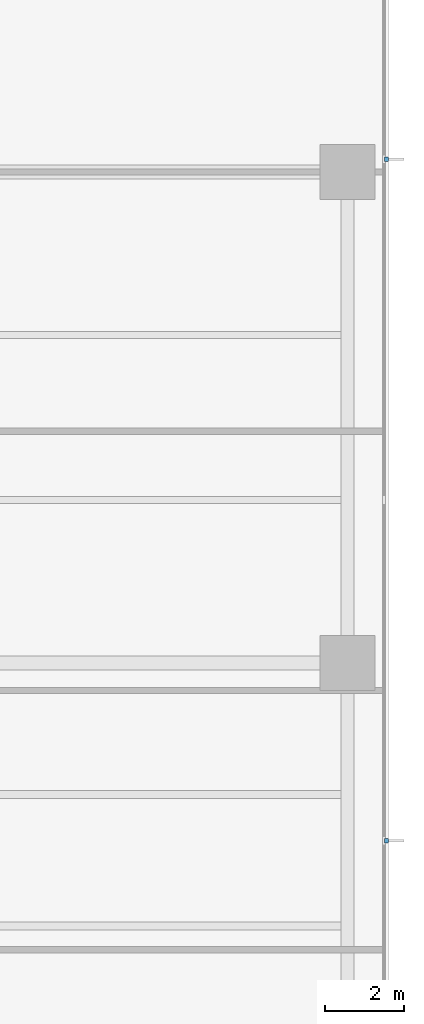
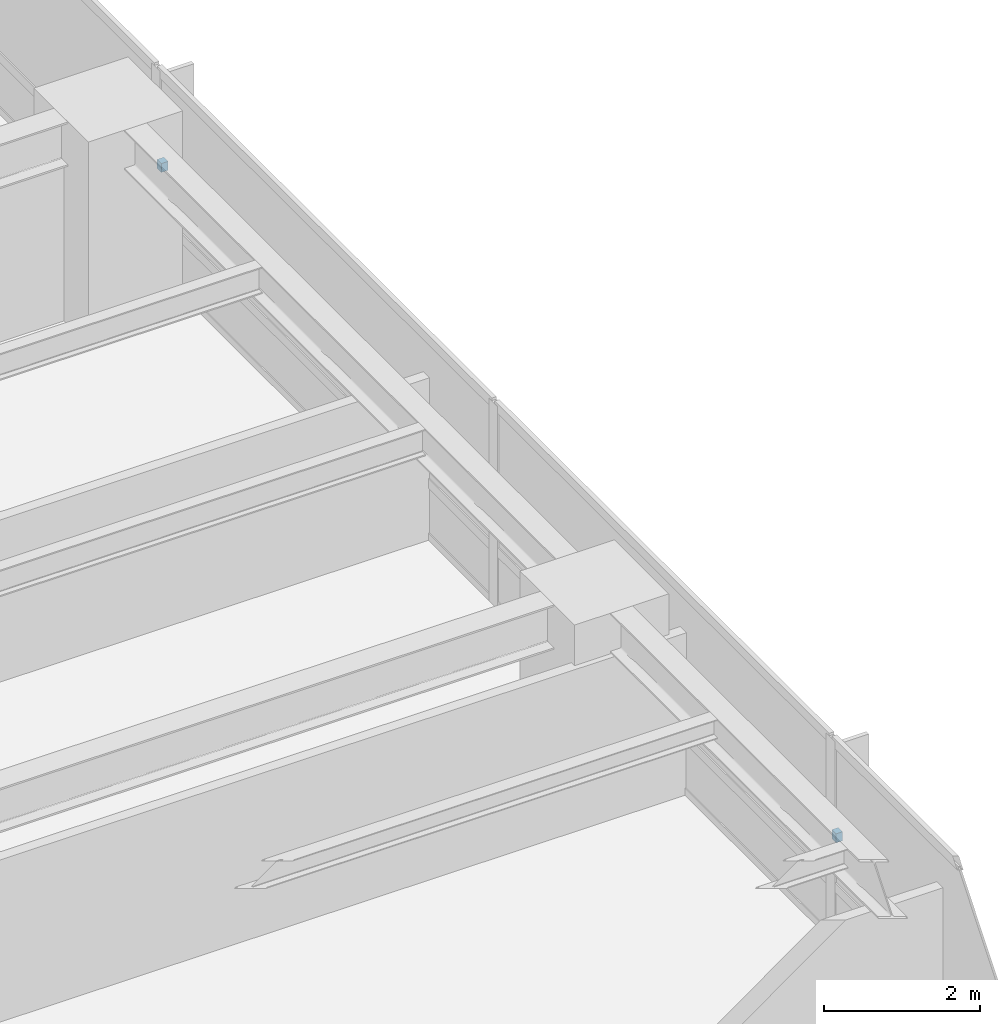
# One storey, part 13 of 16: 2 discrete accessories.
"""IFC4 building model written with IfcOpenShell, lengths in metres."""

import ifcopenshell
import ifcopenshell.guid

model = None  # the IFC model being written
_history = None  # IfcOwnerHistory: only IFC2X3 demands one
_inside = {}  # id of a spatial element -> (the spatial element, [elements in it])
_under = {}  # id of a project, library or spatial element -> (it, [spatial elements below it])
_declared = {}  # id of a project -> (the project, [libraries it declares])
_typed = {}  # id of a type object -> (the type object, [elements of that type])
_made_of = {}  # id of a material, layer set ... -> (it, [elements and type objects made of it])


def new_model(schema):
    """Start an empty IFC model of exactly this schema.

    Asked for "IFC4X3", IfcOpenShell would pick the latest addendum, in which some entities
    have other attributes; the version numbers below select the first issue.
    IFC2X3 requires an IfcOwnerHistory on every rooted entity: one is made here for all.
    """
    global model, _history
    if schema == "IFC4X3":
        model = ifcopenshell.file(schema_version=(4, 3, 0, 0))
    else:
        model = ifcopenshell.file(schema=schema)
    _inside.clear()
    _under.clear()
    _declared.clear()
    _typed.clear()
    _made_of.clear()
    _history = None
    if model.schema == "IFC2X3":
        org = make("IfcOrganization", Name="unknown")
        user = make(
            "IfcPersonAndOrganization",
            ThePerson=make("IfcPerson", FamilyName="unknown"),
            TheOrganization=org,
        )
        app = make(
            "IfcApplication",
            ApplicationDeveloper=org,
            Version="unknown",
            ApplicationFullName="unknown",
            ApplicationIdentifier="unknown",
        )
        _history = make(
            "IfcOwnerHistory",
            OwningUser=user,
            OwningApplication=app,
            ChangeAction="ADDED",
            CreationDate=0,
        )
    return model


def make(cls, **values):
    """One entity of the class cls with the attributes given. An attribute that is None is left unset."""
    return model.create_entity(
        cls, **{name: value for name, value in values.items() if value is not None}
    )


def rooted(cls, **values):
    """An entity with a GlobalId (a new one), such as an element, a storey or a relation."""
    return make(cls, GlobalId=ifcopenshell.guid.new(), OwnerHistory=_history, **values)


def si_unit(unit_type, name, prefix=None):
    """IfcSIUnit, for example si_unit("LENGTHUNIT", "METRE", prefix="MILLI")."""
    return make("IfcSIUnit", UnitType=unit_type, Prefix=prefix, Name=name)


def assignment(units):
    """IfcUnitAssignment: the units of a project."""
    return None if units is None else make("IfcUnitAssignment", Units=units)


def point(xyz):
    """IfcCartesianPoint."""
    return None if xyz is None else make("IfcCartesianPoint", Coordinates=xyz)


def direction(xyz):
    """IfcDirection."""
    return None if xyz is None else make("IfcDirection", DirectionRatios=xyz)


def frame(location, z_axis=None, x_axis=None):
    """IfcAxis2Placement3D, a coordinate frame: its origin and axes. An axis left out is left unset."""
    return make(
        "IfcAxis2Placement3D",
        Location=point(location),
        Axis=direction(z_axis),
        RefDirection=direction(x_axis),
    )


def origin():
    """The frame at (0, 0, 0) with its axes left unset."""
    return frame((0.0, 0.0, 0.0))


def place(relative_to, where):
    """IfcLocalPlacement: puts the frame where relative to a parent placement (None: the world)."""
    return make(
        "IfcLocalPlacement", PlacementRelTo=relative_to, RelativePlacement=where
    )


def context(
    kind, dimensions, precision=None, world=None, true_north=None, identifier=None
):
    """IfcGeometricRepresentationContext, for example the 3D "Model" context."""
    return make(
        "IfcGeometricRepresentationContext",
        ContextIdentifier=identifier,
        ContextType=kind,
        CoordinateSpaceDimension=dimensions,
        Precision=precision,
        WorldCoordinateSystem=world,
        TrueNorth=true_north,
    )


def subcontext(parent, identifier, kind, view, scale=None):
    """IfcGeometricRepresentationSubContext, for example "Body" below "Model"."""
    return make(
        "IfcGeometricRepresentationSubContext",
        ContextIdentifier=identifier,
        ContextType=kind,
        ParentContext=parent,
        TargetScale=scale,
        TargetView=view,
    )


def project(units=None, contexts=None):
    """IfcProject with its units and contexts."""
    return rooted(
        "IfcProject",
        Name="project",
        RepresentationContexts=contexts,
        UnitsInContext=assignment(units),
    )


def spatial(cls, under=None, at=None, **own):
    """A site, building, storey or space (cls), placed at a placement, below another one or the project."""
    s = rooted(cls, ObjectPlacement=at, **own)
    if under is not None:
        _under.setdefault(under.id(), (under, []))[1].append(s)
    return s


def polyline(points):
    """IfcPolyline through the points."""
    return make("IfcPolyline", Points=[point(p) for p in points])


def outline(outer, holes=None, kind="AREA"):
    """IfcArbitraryClosedProfileDef: a profile drawn as a closed curve; with holes, ...WithVoids."""
    if holes is None:
        return make("IfcArbitraryClosedProfileDef", ProfileType=kind, OuterCurve=outer)
    return make(
        "IfcArbitraryProfileDefWithVoids",
        ProfileType=kind,
        OuterCurve=outer,
        InnerCurves=holes,
    )


def extrude(swept, where, along, depth):
    """IfcExtrudedAreaSolid: the profile swept, set in the frame where, extruded along a direction by depth."""
    return make(
        "IfcExtrudedAreaSolid",
        SweptArea=swept,
        Position=where,
        ExtrudedDirection=direction(along),
        Depth=depth,
    )


def shape(context_of_items, identifier, shape_type, items):
    """IfcShapeRepresentation: the items that make up one representation, for example the "Body"."""
    return make(
        "IfcShapeRepresentation",
        ContextOfItems=context_of_items,
        RepresentationIdentifier=identifier,
        RepresentationType=shape_type,
        Items=items,
    )


def material(Name=None, Category=None):
    """IfcMaterial."""
    return make("IfcMaterial", Name=Name, Category=Category)


def made_of(thing, what):
    """Note that an element or type object is made of a material, layer set ...; save() writes the relation."""
    if what is not None:
        _made_of.setdefault(what.id(), (what, []))[1].append(thing)
    return thing


def type_object(cls, material=None, **own):
    """A type object (cls), such as IfcWallType, which elements share."""
    return made_of(rooted(cls, **own), material)


def element(
    cls,
    number,
    at=None,
    inside=None,
    cuts=None,
    type_object=None,
    material=None,
    context=None,
    identifier="Body",
    shape_type=None,
    held_by="IfcProductDefinitionShape",
    body=None,
    shapes=None,
    **own,
):
    """One element of the class cls, such as IfcWall. Its Tag is "e" and its number.

    at: its placement. inside: the storey or other place that contains it. cuts: it is an
    opening in that element (IfcRelVoidsElement). A single representation is given by context,
    identifier, shape_type and body (its items); several are given by shapes. held_by: the class
    of the entity that holds the representations. save() writes the other relations.
    """
    e = rooted(cls, Tag="e%d" % number, ObjectPlacement=at, **own)
    if body is not None:
        shapes = [shape(context, identifier, shape_type, body)]
    if shapes is not None:
        e.Representation = make(held_by, Representations=shapes)
    if inside is not None:
        _inside.setdefault(inside.id(), (inside, []))[1].append(e)
    if cuts is not None:
        rooted(
            "IfcRelVoidsElement", RelatingBuildingElement=cuts, RelatedOpeningElement=e
        )
    if type_object is not None:
        _typed.setdefault(type_object.id(), (type_object, []))[1].append(e)
    return made_of(e, material)


def aggregate(whole, parts):
    """IfcRelAggregates: a whole, such as a stair, and the parts it consists of."""
    return rooted("IfcRelAggregates", RelatingObject=whole, RelatedObjects=parts)


def save(model, path):
    """Write the relations noted so far, then the file.

    IfcRelAggregates (storeys below a building ...), IfcRelContainedInSpatialStructure (elements
    in a storey), IfcRelDefinesByType, IfcRelAssociatesMaterial and IfcRelDeclares: one each for
    every whole, place, type object, material and project.
    """
    for whole, parts in _under.values():
        aggregate(whole, parts)
    for where, things in _inside.values():
        rooted(
            "IfcRelContainedInSpatialStructure",
            RelatedElements=things,
            RelatingStructure=where,
        )
    for kind, things in _typed.values():
        rooted("IfcRelDefinesByType", RelatedObjects=things, RelatingType=kind)
    for what, things in _made_of.values():
        rooted("IfcRelAssociatesMaterial", RelatedObjects=things, RelatingMaterial=what)
    for by, libraries in _declared.values():
        rooted("IfcRelDeclares", RelatingContext=by, RelatedDefinitions=libraries)
    model.write(path)


model = new_model("IFC4")

# Units and contexts
model_context = context("Model", 3, precision=1e-05, world=origin(), true_north=direction((0.0, 1.0)))
body_context = subcontext(model_context, "Body", "Model", "MODEL_VIEW")
ifc_project = project(units=[si_unit("LENGTHUNIT", "METRE"), si_unit("AREAUNIT", "SQUARE_METRE"), si_unit("VOLUMEUNIT", "CUBIC_METRE"), si_unit("PLANEANGLEUNIT", "RADIAN"), si_unit("MASSUNIT", "GRAM", prefix="KILO")], contexts=[model_context])

# Site, building, storey
site_placement = place(None, origin())
site = spatial("IfcSite", under=ifc_project, at=site_placement, CompositionType="ELEMENT")
building_placement = place(site_placement, origin())
building = spatial("IfcBuilding", under=site, at=building_placement, Name="Qalmaran Belvedere Hotel", CompositionType="ELEMENT")
storey_placement = place(building_placement, frame((0.0, 0.0, 71.89990234375)))
storey = spatial("IfcBuildingStorey", under=building, at=storey_placement, Name="L18", CompositionType="ELEMENT", Elevation=71.89990234375)

# Discrete accessories
ifc_material = material(Name="Stainless Steel 1.4401", Category="steel")
discrete_accessory_type = type_object("IfcDiscreteAccessoryType", Name="BRK-FIN-SS316", PredefinedType="BRACKET", material=ifc_material)
discrete_accessory_1_placement = place(storey_placement, frame((0.0, 0.0, 1.5400390625)))
element("IfcDiscreteAccessory", 1, at=discrete_accessory_1_placement, inside=storey, type_object=discrete_accessory_type, Name="L18 Fin Bracket 1", PredefinedType="BRACKET", context=body_context, shape_type="SweptSolid", body=[
    extrude(outline(polyline([(61.695068359375, 15.919921875), (61.79248046875, 15.919921875), (61.79248046875, 16.030029296875), (61.695068359375, 16.030029296875), (61.695068359375, 15.919921875)])), origin(), (0.0, 0.0, 1.0), 0.14013671875),
])
discrete_accessory_2_placement = place(storey_placement, frame((0.0, 0.0, 1.5400390625)))
element("IfcDiscreteAccessory", 2, at=discrete_accessory_2_placement, inside=storey, type_object=discrete_accessory_type, Name="L18 Fin Bracket 3", PredefinedType="BRACKET", context=body_context, shape_type="SweptSolid", body=[
    extrude(outline(polyline([(61.695068359375, 33.27001953125), (61.79248046875, 33.27001953125), (61.79248046875, 33.3798828125), (61.695068359375, 33.3798828125), (61.695068359375, 33.27001953125)])), origin(), (0.0, 0.0, 1.0), 0.14013671875),
])

save(model, "model.ifc")
